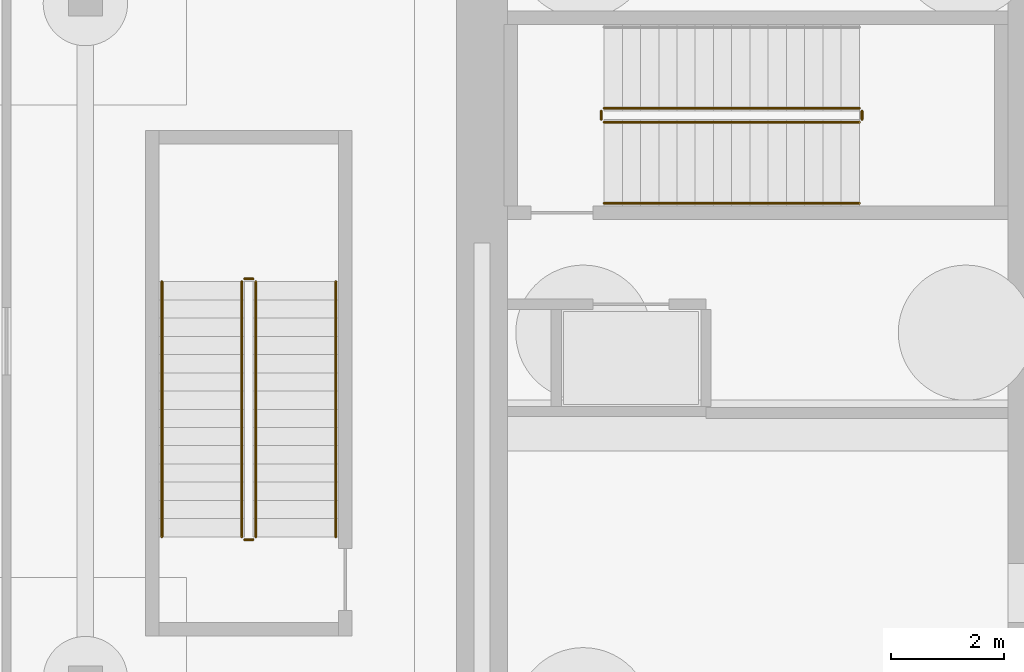
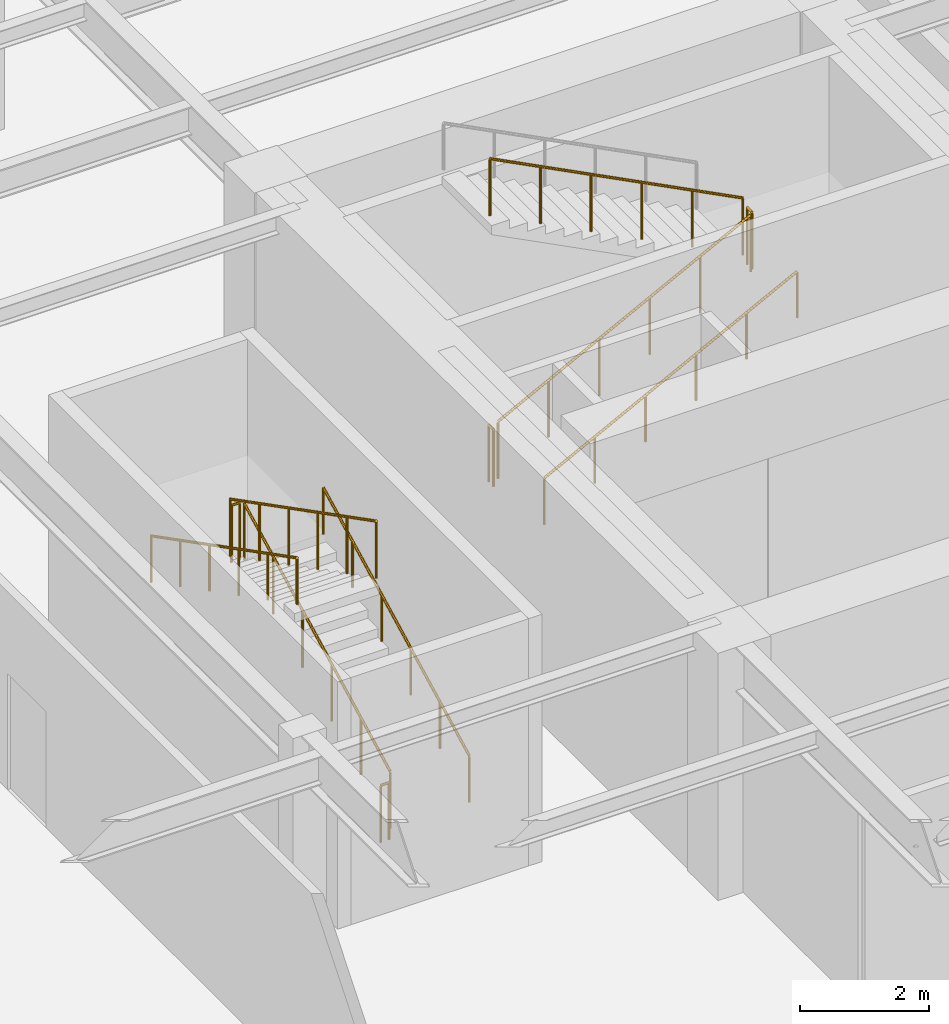
# One storey, part 9 of 14: 11 railings.
"""IFC4 building model written with IfcOpenShell, lengths in metres."""

from ifc_helpers import new_model, si_unit, direction, frame, origin, origin_2d, place, context, subcontext, project, spatial, circle, extrude, material, type_object, element, save


model = new_model("IFC4")

# Units and contexts
model_context = context("Model", 3, precision=1e-05, world=origin(), true_north=direction((0.0, 1.0)))
body_context = subcontext(model_context, "Body", "Model", "MODEL_VIEW")
ifc_project = project(units=[si_unit("LENGTHUNIT", "METRE"), si_unit("AREAUNIT", "SQUARE_METRE"), si_unit("VOLUMEUNIT", "CUBIC_METRE"), si_unit("PLANEANGLEUNIT", "RADIAN"), si_unit("MASSUNIT", "GRAM", prefix="KILO")], contexts=[model_context])

# Site, building, storey
site_placement = place(None, origin())
site = spatial("IfcSite", under=ifc_project, at=site_placement, CompositionType="ELEMENT")
building_placement = place(site_placement, origin())
building = spatial("IfcBuilding", under=site, at=building_placement, Name="Kolvaren Arena Tower", CompositionType="ELEMENT")
storey_placement = place(building_placement, frame((0.0, 0.0, -10.0)))
storey = spatial("IfcBuildingStorey", under=building, at=storey_placement, Name="B02", CompositionType="ELEMENT", Elevation=-10.0)

# Railings
ifc_material_1 = material(Name="Painted galvanized steel", Category="steel")
railing_type_1 = type_object("IfcRailingType", Name="GUARD-ST-110", PredefinedType="GUARDRAIL", material=ifc_material_1)
railing_1_placement = place(storey_placement, frame((16.719970703125, 30.389892578125, 0.166748046875)))
element("IfcRailing", 1, at=railing_1_placement, inside=storey, type_object=railing_type_1, Name="B02 ST-W1 stair guard 1", PredefinedType="GUARDRAIL", context=body_context, shape_type="SweptSolid", body=[
    extrude(circle(Radius=0.02392578125, at=origin_2d()), frame((0.0, 0.0, 1.076171875), z_axis=(0.889257211316, 0.0, 0.457407490234), x_axis=(0.0, 1.0, 0.0)), (0.0, 0.0, 1.0), 5.10107421875),
    extrude(circle(Radius=0.02099609375, at=origin_2d()), origin(), (0.0, 0.0, 1.0), 1.052001953125),
    extrude(circle(Radius=0.02099609375, at=origin_2d()), frame((0.9072265625, 0.0, 0.466552734375)), (0.0, 0.0, 1.0), 1.052001953125),
    extrude(circle(Radius=0.02099609375, at=origin_2d()), frame((1.814453125, 0.0, 0.933349609375)), (0.0, 0.0, 1.0), 1.052001953125),
    extrude(circle(Radius=0.02099609375, at=origin_2d()), frame((2.7216796875, 0.0, 1.39990234375)), (0.0, 0.0, 1.0), 1.052001953125),
    extrude(circle(Radius=0.02099609375, at=origin_2d()), frame((3.62890625, 0.0, 1.86669921875)), (0.0, 0.0, 1.0), 1.052001953125),
    extrude(circle(Radius=0.02099609375, at=origin_2d()), frame((4.5361328125, 0.0, 2.333251953125)), (0.0, 0.0, 1.0), 1.052001953125),
])
railing_2_placement = place(storey_placement, frame((21.305908203125, 30.43994140625, 2.5)))
element("IfcRailing", 2, at=railing_2_placement, inside=storey, type_object=railing_type_1, Name="B02 ST-W1 stair guard 2", PredefinedType="GUARDRAIL", context=body_context, shape_type="SweptSolid", body=[
    extrude(circle(Radius=0.02392578125, at=origin_2d()), frame((0.0, 0.0, 1.076171875), z_axis=(0.0, 1.0, 0.0), x_axis=(-1.0, 0.0, 0.0)), (0.0, 0.0, 1.0), 0.150146484375),
    extrude(circle(Radius=0.02099609375, at=origin_2d()), origin(), (0.0, 0.0, 1.0), 1.052001953125),
    extrude(circle(Radius=0.02099609375, at=origin_2d()), frame((0.0, 0.150146484375, 0.0)), (0.0, 0.0, 1.0), 1.052001953125),
])
railing_3_placement = place(storey_placement, frame((21.256103515625, 30.639892578125, 2.666748046875)))
element("IfcRailing", 3, at=railing_3_placement, inside=storey, type_object=railing_type_1, Name="B02 ST-W1 stair guard 3", PredefinedType="GUARDRAIL", context=body_context, shape_type="SweptSolid", body=[
    extrude(circle(Radius=0.02392578125, at=origin_2d()), frame((0.0, 0.0, 1.076171875), z_axis=(-0.889257211316, 0.0, 0.457407490234), x_axis=(0.0, -1.0, 0.0)), (0.0, 0.0, 1.0), 5.10107421875),
    extrude(circle(Radius=0.02099609375, at=origin_2d()), origin(), (0.0, 0.0, 1.0), 1.052001953125),
    extrude(circle(Radius=0.02099609375, at=origin_2d()), frame((-0.9072265625, 0.0, 0.466552734375)), (0.0, 0.0, 1.0), 1.052001953125),
    extrude(circle(Radius=0.02099609375, at=origin_2d()), frame((-1.814453125, 0.0, 0.933349609375)), (0.0, 0.0, 1.0), 1.052001953125),
    extrude(circle(Radius=0.02099609375, at=origin_2d()), frame((-2.7216796875, 0.0, 1.39990234375)), (0.0, 0.0, 1.0), 1.052001953125),
    extrude(circle(Radius=0.02099609375, at=origin_2d()), frame((-3.62890625, 0.0, 1.86669921875)), (0.0, 0.0, 1.0), 1.052001953125),
    extrude(circle(Radius=0.02099609375, at=origin_2d()), frame((-4.5361328125, 0.0, 2.333251953125)), (0.0, 0.0, 1.0), 1.052001953125),
])
railing_4_placement = place(storey_placement, frame((16.669921875, 30.43994140625, 0.0)))
element("IfcRailing", 4, at=railing_4_placement, inside=storey, type_object=railing_type_1, Name="B02 ST-W1 stair guard 4", PredefinedType="GUARDRAIL", context=body_context, shape_type="SweptSolid", body=[
    extrude(circle(Radius=0.02392578125, at=origin_2d()), frame((0.0, 0.0, 1.076171875), z_axis=(0.0, 1.0, 0.0), x_axis=(-1.0, 0.0, 0.0)), (0.0, 0.0, 1.0), 0.150146484375),
    extrude(circle(Radius=0.02099609375, at=origin_2d()), origin(), (0.0, 0.0, 1.0), 1.052001953125),
    extrude(circle(Radius=0.02099609375, at=origin_2d()), frame((0.0, 0.150146484375, 0.0)), (0.0, 0.0, 1.0), 1.052001953125),
])
railing_5_placement = place(storey_placement, frame((10.530029296875, 23.02001953125, 0.166748046875)))
element("IfcRailing", 5, at=railing_5_placement, inside=storey, type_object=railing_type_1, Name="B02 ST-B1 stair guard 1", PredefinedType="GUARDRAIL", context=body_context, shape_type="SweptSolid", body=[
    extrude(circle(Radius=0.02392578125, at=origin_2d()), frame((0.0, 0.0, 1.076171875), z_axis=(0.0, 0.889247197123, 0.45742695855), x_axis=(-1.0, 0.0, 0.0)), (0.0, 0.0, 1.0), 5.100830078125),
    extrude(circle(Radius=0.02099609375, at=origin_2d()), origin(), (0.0, 0.0, 1.0), 1.052001953125),
    extrude(circle(Radius=0.02099609375, at=origin_2d()), frame((0.0, 0.9072265625, 0.466552734375)), (0.0, 0.0, 1.0), 1.052001953125),
    extrude(circle(Radius=0.02099609375, at=origin_2d()), frame((0.0, 1.814453125, 0.933349609375)), (0.0, 0.0, 1.0), 1.052001953125),
    extrude(circle(Radius=0.02099609375, at=origin_2d()), frame((0.0, 2.721435546875, 1.39990234375)), (0.0, 0.0, 1.0), 1.052001953125),
    extrude(circle(Radius=0.02099609375, at=origin_2d()), frame((0.0, 3.628662109375, 1.86669921875)), (0.0, 0.0, 1.0), 1.052001953125),
    extrude(circle(Radius=0.02099609375, at=origin_2d()), frame((0.0, 4.535888671875, 2.333251953125)), (0.0, 0.0, 1.0), 1.052001953125),
])
railing_6_placement = place(storey_placement, frame((10.47998046875, 27.60595703125, 2.5)))
element("IfcRailing", 6, at=railing_6_placement, inside=storey, type_object=railing_type_1, Name="B02 ST-B1 stair guard 2", PredefinedType="GUARDRAIL", context=body_context, shape_type="SweptSolid", body=[
    extrude(circle(Radius=0.02392578125, at=origin_2d()), frame((0.0, 0.0, 1.076171875), z_axis=(-1.0, 0.0, 0.0), x_axis=(0.0, -1.0, 0.0)), (0.0, 0.0, 1.0), 0.14990234375),
    extrude(circle(Radius=0.02099609375, at=origin_2d()), origin(), (0.0, 0.0, 1.0), 1.052001953125),
    extrude(circle(Radius=0.02099609375, at=origin_2d()), frame((-0.14990234375, 0.0, 0.0)), (0.0, 0.0, 1.0), 1.052001953125),
])
railing_7_placement = place(storey_placement, frame((10.280029296875, 27.555908203125, 2.666748046875)))
element("IfcRailing", 7, at=railing_7_placement, inside=storey, type_object=railing_type_1, Name="B02 ST-B1 stair guard 3", PredefinedType="GUARDRAIL", context=body_context, shape_type="SweptSolid", body=[
    extrude(circle(Radius=0.02392578125, at=origin_2d()), frame((0.0, 0.0, 1.076171875), z_axis=(0.0, -0.889247197123, 0.45742695855), x_axis=(1.0, 0.0, 0.0)), (0.0, 0.0, 1.0), 5.100830078125),
    extrude(circle(Radius=0.02099609375, at=origin_2d()), origin(), (0.0, 0.0, 1.0), 1.052001953125),
    extrude(circle(Radius=0.02099609375, at=origin_2d()), frame((0.0, -0.9072265625, 0.466552734375)), (0.0, 0.0, 1.0), 1.052001953125),
    extrude(circle(Radius=0.02099609375, at=origin_2d()), frame((0.0, -1.814453125, 0.933349609375)), (0.0, 0.0, 1.0), 1.052001953125),
    extrude(circle(Radius=0.02099609375, at=origin_2d()), frame((0.0, -2.721435546875, 1.39990234375)), (0.0, 0.0, 1.0), 1.052001953125),
    extrude(circle(Radius=0.02099609375, at=origin_2d()), frame((0.0, -3.628662109375, 1.86669921875)), (0.0, 0.0, 1.0), 1.052001953125),
    extrude(circle(Radius=0.02099609375, at=origin_2d()), frame((0.0, -4.535888671875, 2.333251953125)), (0.0, 0.0, 1.0), 1.052001953125),
])
railing_8_placement = place(storey_placement, frame((10.47998046875, 22.969970703125, 0.0)))
element("IfcRailing", 8, at=railing_8_placement, inside=storey, type_object=railing_type_1, Name="B02 ST-B1 stair guard 4", PredefinedType="GUARDRAIL", context=body_context, shape_type="SweptSolid", body=[
    extrude(circle(Radius=0.02392578125, at=origin_2d()), frame((0.0, 0.0, 1.076171875), z_axis=(-1.0, 0.0, 0.0), x_axis=(0.0, -1.0, 0.0)), (0.0, 0.0, 1.0), 0.14990234375),
    extrude(circle(Radius=0.02099609375, at=origin_2d()), origin(), (0.0, 0.0, 1.0), 1.052001953125),
    extrude(circle(Radius=0.02099609375, at=origin_2d()), frame((-0.14990234375, 0.0, 0.0)), (0.0, 0.0, 1.0), 1.052001953125),
])
ifc_material_2 = material(Name="Brushed stainless steel handrail", Category="steel")
railing_type_2 = type_object("IfcRailingType", Name="HRAIL-900", PredefinedType="HANDRAIL", material=ifc_material_2)
railing_9_placement = place(storey_placement, frame((16.719970703125, 28.949951171875, 0.166748046875)))
element("IfcRailing", 9, at=railing_9_placement, inside=storey, type_object=railing_type_2, Name="B02 ST-W1 stair handrail 1", PredefinedType="HANDRAIL", context=body_context, shape_type="SweptSolid", body=[
    extrude(circle(Radius=0.02392578125, at=origin_2d()), frame((0.0, 0.0, 0.8759765625), z_axis=(0.889257211316, 0.0, 0.457407490234), x_axis=(0.0, 1.0, 0.0)), (0.0, 0.0, 1.0), 5.10107421875),
    extrude(circle(Radius=0.02099609375, at=origin_2d()), origin(), (0.0, 0.0, 1.0), 0.851806640625),
    extrude(circle(Radius=0.02099609375, at=origin_2d()), frame((0.9072265625, 0.0, 0.466552734375)), (0.0, 0.0, 1.0), 0.851806640625),
    extrude(circle(Radius=0.02099609375, at=origin_2d()), frame((1.814453125, 0.0, 0.933349609375)), (0.0, 0.0, 1.0), 0.851806640625),
    extrude(circle(Radius=0.02099609375, at=origin_2d()), frame((2.7216796875, 0.0, 1.39990234375)), (0.0, 0.0, 1.0), 0.851806640625),
    extrude(circle(Radius=0.02099609375, at=origin_2d()), frame((3.62890625, 0.0, 1.86669921875)), (0.0, 0.0, 1.0), 0.851806640625),
    extrude(circle(Radius=0.02099609375, at=origin_2d()), frame((4.5361328125, 0.0, 2.333251953125)), (0.0, 0.0, 1.0), 0.851806640625),
])
railing_10_placement = place(storey_placement, frame((11.949951171875, 23.02001953125, 0.166748046875)))
element("IfcRailing", 10, at=railing_10_placement, inside=storey, type_object=railing_type_2, Name="B02 ST-B1 stair handrail 1", PredefinedType="HANDRAIL", context=body_context, shape_type="SweptSolid", body=[
    extrude(circle(Radius=0.02392578125, at=origin_2d()), frame((0.0, 0.0, 0.8759765625), z_axis=(0.0, 0.889247197123, 0.45742695855), x_axis=(-1.0, 0.0, 0.0)), (0.0, 0.0, 1.0), 5.100830078125),
    extrude(circle(Radius=0.02099609375, at=origin_2d()), origin(), (0.0, 0.0, 1.0), 0.851806640625),
    extrude(circle(Radius=0.02099609375, at=origin_2d()), frame((0.0, 0.9072265625, 0.466552734375)), (0.0, 0.0, 1.0), 0.851806640625),
    extrude(circle(Radius=0.02099609375, at=origin_2d()), frame((0.0, 1.814453125, 0.933349609375)), (0.0, 0.0, 1.0), 0.851806640625),
    extrude(circle(Radius=0.02099609375, at=origin_2d()), frame((0.0, 2.721435546875, 1.39990234375)), (0.0, 0.0, 1.0), 0.851806640625),
    extrude(circle(Radius=0.02099609375, at=origin_2d()), frame((0.0, 3.628662109375, 1.86669921875)), (0.0, 0.0, 1.0), 0.851806640625),
    extrude(circle(Radius=0.02099609375, at=origin_2d()), frame((0.0, 4.535888671875, 2.333251953125)), (0.0, 0.0, 1.0), 0.851806640625),
])
railing_11_placement = place(storey_placement, frame((8.860107421875, 27.555908203125, 2.666748046875)))
element("IfcRailing", 11, at=railing_11_placement, inside=storey, type_object=railing_type_2, Name="B02 ST-B1 stair handrail 2", PredefinedType="HANDRAIL", context=body_context, shape_type="SweptSolid", body=[
    extrude(circle(Radius=0.02392578125, at=origin_2d()), frame((0.0, 0.0, 0.8759765625), z_axis=(0.0, -0.889247197123, 0.45742695855), x_axis=(1.0, 0.0, 0.0)), (0.0, 0.0, 1.0), 5.100830078125),
    extrude(circle(Radius=0.02099609375, at=origin_2d()), origin(), (0.0, 0.0, 1.0), 0.851806640625),
    extrude(circle(Radius=0.02099609375, at=origin_2d()), frame((0.0, -0.9072265625, 0.466552734375)), (0.0, 0.0, 1.0), 0.851806640625),
    extrude(circle(Radius=0.02099609375, at=origin_2d()), frame((0.0, -1.814453125, 0.933349609375)), (0.0, 0.0, 1.0), 0.851806640625),
    extrude(circle(Radius=0.02099609375, at=origin_2d()), frame((0.0, -2.721435546875, 1.39990234375)), (0.0, 0.0, 1.0), 0.851806640625),
    extrude(circle(Radius=0.02099609375, at=origin_2d()), frame((0.0, -3.628662109375, 1.86669921875)), (0.0, 0.0, 1.0), 0.851806640625),
    extrude(circle(Radius=0.02099609375, at=origin_2d()), frame((0.0, -4.535888671875, 2.333251953125)), (0.0, 0.0, 1.0), 0.851806640625),
])

save(model, "model.ifc")
